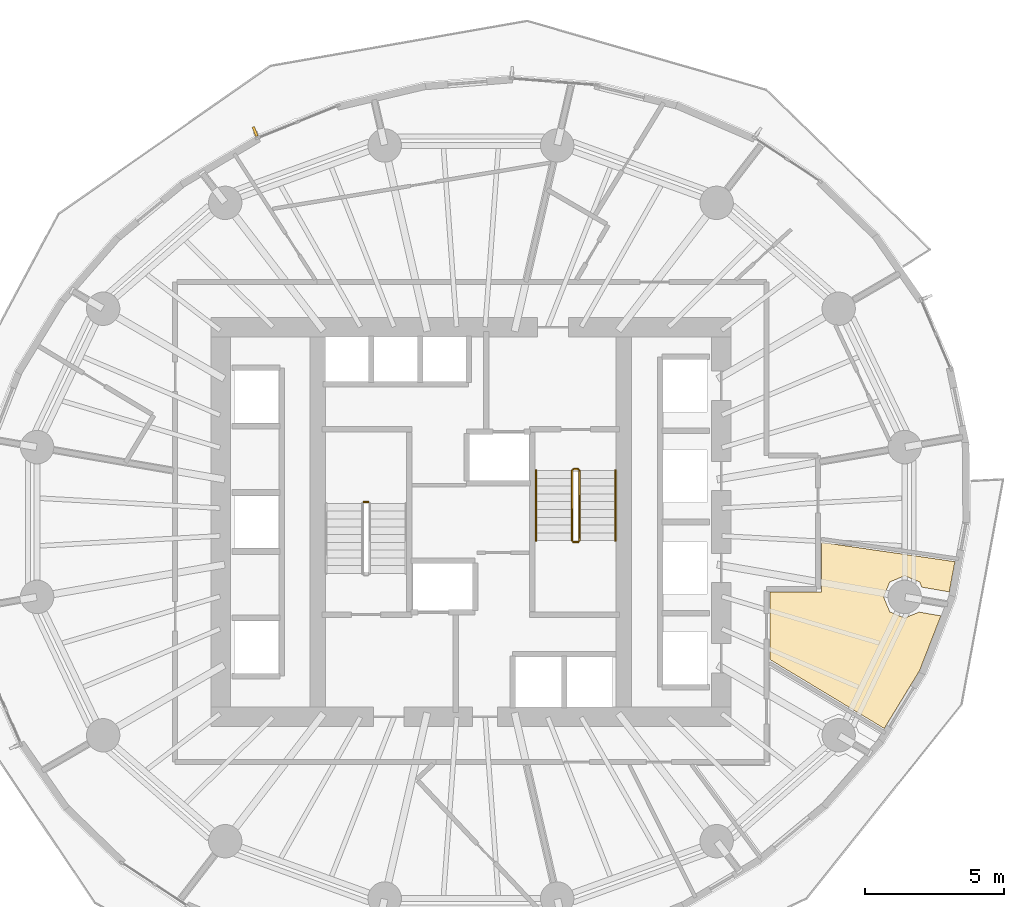
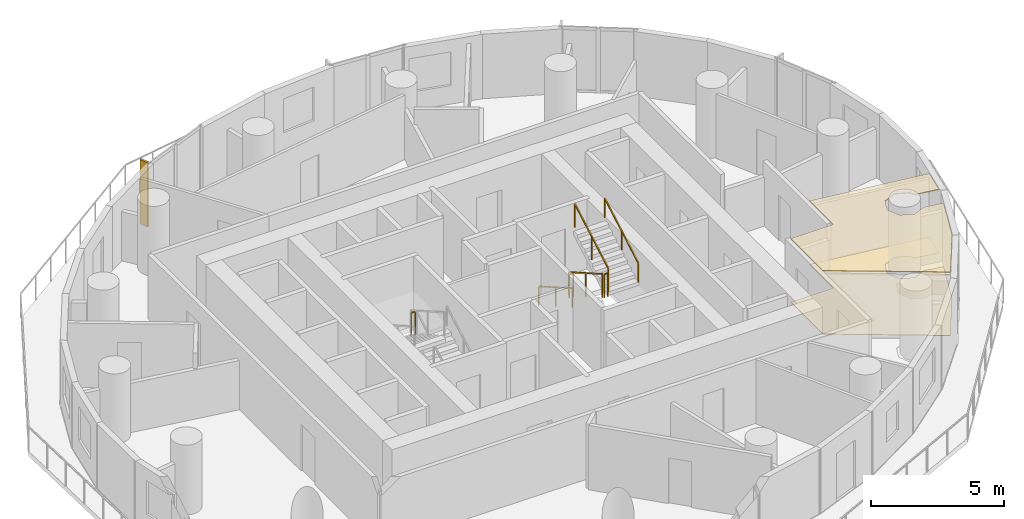
# One storey, part 13 of 14: 7 railings, 2 coverings, 1 shading device.
"""IFC4 building model written with IfcOpenShell, lengths in metres."""

from ifc_helpers import new_model, si_unit, direction, frame, origin, origin_2d, place, context, subcontext, project, spatial, polyline, rectangle, outline, extrude, material, layer, layer_set, type_object, element, save


model = new_model("IFC4")

# Units and contexts
model_context = context("Model", 3, precision=1e-05, world=origin(), true_north=direction((0.0, 1.0)))
body_context = subcontext(model_context, "Body", "Model", "MODEL_VIEW")
ifc_project = project(units=[si_unit("LENGTHUNIT", "METRE"), si_unit("AREAUNIT", "SQUARE_METRE"), si_unit("VOLUMEUNIT", "CUBIC_METRE"), si_unit("PLANEANGLEUNIT", "RADIAN"), si_unit("MASSUNIT", "GRAM", prefix="KILO")], contexts=[model_context])

# Site, building, storey
site_placement = place(None, origin())
site = spatial("IfcSite", under=ifc_project, at=site_placement, CompositionType="ELEMENT")
building_placement = place(site_placement, origin())
building = spatial("IfcBuilding", under=site, at=building_placement, Name="Veldorim Arch Residences", CompositionType="ELEMENT")
storey_placement = place(building_placement, frame((0.0, 0.0, 74.080078125)))
storey = spatial("IfcBuildingStorey", under=building, at=storey_placement, Name="L21", CompositionType="ELEMENT", Elevation=74.080078125)

# Railings
ifc_material_1 = material(Name="Steel S355", Category="steel")
railing_type_1 = type_object("IfcRailingType", Name="Galvanised Steel Stair Safety Guardrail 1100", PredefinedType="GUARDRAIL", material=ifc_material_1)
railing_1_placement = place(storey_placement, frame((28.31005859375, 24.719970703125, 1.599853515625)))
element("IfcRailing", 1, at=railing_1_placement, inside=storey, type_object=railing_type_1, Name="L21 ST-1 stair guard 2", PredefinedType="GUARDRAIL", context=body_context, shape_type="SweptSolid", body=[
    extrude(rectangle(XDim=0.048095703125, YDim=0.048095703125, at=origin_2d()), frame((0.0, 0.0, 1.076171875), z_axis=(-1.0, 0.0, 0.0), x_axis=(0.0, -1.0, 0.0)), (0.0, 0.0, 1.0), 0.16015625),
    extrude(rectangle(XDim=0.0419921875, YDim=0.0419921875, at=origin_2d()), origin(), (0.0, 0.0, 1.0), 1.052001953125),
    extrude(rectangle(XDim=0.0419921875, YDim=0.0419921875, at=origin_2d()), frame((-0.16015625, 0.0, 0.0)), (0.0, 0.0, 1.0), 1.052001953125),
])
railing_2_placement = place(storey_placement, frame((35.639892578125, 25.85009765625, 0.159912109375)))
element("IfcRailing", 2, at=railing_2_placement, inside=storey, type_object=railing_type_1, Name="L21 ST-2 stair guard 1", PredefinedType="GUARDRAIL", context=body_context, shape_type="SweptSolid", body=[
    extrude(rectangle(XDim=0.048095703125, YDim=0.048095703125, at=origin_2d()), frame((0.0, 0.0, 1.076171875), z_axis=(0.0, -0.868253494771, 0.496120820787), x_axis=(1.0, 0.0, 0.0)), (0.0, 0.0, 1.0), 2.90234375),
    extrude(rectangle(XDim=0.0419921875, YDim=0.0419921875, at=origin_2d()), origin(), (0.0, 0.0, 1.0), 1.052001953125),
    extrude(rectangle(XDim=0.0419921875, YDim=0.0419921875, at=origin_2d()), frame((0.0, -1.260009765625, 0.719970703125)), (0.0, 0.0, 1.0), 1.052001953125),
    extrude(rectangle(XDim=0.0419921875, YDim=0.0419921875, at=origin_2d()), frame((0.0, -2.52001953125, 1.43994140625)), (0.0, 0.0, 1.0), 1.052001953125),
])
railing_3_placement = place(storey_placement, frame((35.68994140625, 23.280029296875, 1.599853515625)))
element("IfcRailing", 3, at=railing_3_placement, inside=storey, type_object=railing_type_1, Name="L21 ST-2 stair guard 2", PredefinedType="GUARDRAIL", context=body_context, shape_type="SweptSolid", body=[
    extrude(rectangle(XDim=0.048095703125, YDim=0.048095703125, at=origin_2d()), frame((0.0, 0.0, 1.076171875), z_axis=(1.0, 0.0, 0.0), x_axis=(0.0, 1.0, 0.0)), (0.0, 0.0, 1.0), 0.16015625),
    extrude(rectangle(XDim=0.0419921875, YDim=0.0419921875, at=origin_2d()), origin(), (0.0, 0.0, 1.0), 1.052001953125),
    extrude(rectangle(XDim=0.0419921875, YDim=0.0419921875, at=origin_2d()), frame((0.16015625, 0.0, 0.0)), (0.0, 0.0, 1.0), 1.052001953125),
])
railing_4_placement = place(storey_placement, frame((35.89990234375, 23.330078125, 1.760009765625)))
element("IfcRailing", 4, at=railing_4_placement, inside=storey, type_object=railing_type_1, Name="L21 ST-2 stair guard 3", PredefinedType="GUARDRAIL", context=body_context, shape_type="SweptSolid", body=[
    extrude(rectangle(XDim=0.048095703125, YDim=0.048095703125, at=origin_2d()), frame((0.0, 0.0, 1.076171875), z_axis=(0.0, 0.868253494771, 0.496120820787), x_axis=(-1.0, 0.0, 0.0)), (0.0, 0.0, 1.0), 2.90234375),
    extrude(rectangle(XDim=0.0419921875, YDim=0.0419921875, at=origin_2d()), origin(), (0.0, 0.0, 1.0), 1.052001953125),
    extrude(rectangle(XDim=0.0419921875, YDim=0.0419921875, at=origin_2d()), frame((0.0, 1.260009765625, 0.719970703125)), (0.0, 0.0, 1.0), 1.052001953125),
    extrude(rectangle(XDim=0.0419921875, YDim=0.0419921875, at=origin_2d()), frame((0.0, 2.52001953125, 1.43994140625)), (0.0, 0.0, 1.0), 1.052001953125),
])
railing_5_placement = place(storey_placement, frame((35.68994140625, 25.89990234375, 0.0)))
element("IfcRailing", 5, at=railing_5_placement, inside=storey, type_object=railing_type_1, Name="L21 ST-2 stair guard 4", PredefinedType="GUARDRAIL", context=body_context, shape_type="SweptSolid", body=[
    extrude(rectangle(XDim=0.048095703125, YDim=0.048095703125, at=origin_2d()), frame((0.0, 0.0, 1.076171875), z_axis=(1.0, 0.0, 0.0), x_axis=(0.0, 1.0, 0.0)), (0.0, 0.0, 1.0), 0.16015625),
    extrude(rectangle(XDim=0.0419921875, YDim=0.0419921875, at=origin_2d()), origin(), (0.0, 0.0, 1.0), 1.052001953125),
    extrude(rectangle(XDim=0.0419921875, YDim=0.0419921875, at=origin_2d()), frame((0.16015625, 0.0, 0.0)), (0.0, 0.0, 1.0), 1.052001953125),
])

# Coverings
ifc_material_2 = material(Name="Acoustic Gypsum & Mineral Fibre", Category="gypsum")
ifc_layer_1 = layer(ifc_material_2, 0.034912109375, Name="Perforated Acoustic Mineral-Fibre Ceiling 35")
ifc_layer_set_1 = layer_set([ifc_layer_1], Name="Acoustic Gypsum & Mineral Fibre")
covering_type_1 = type_object("IfcCoveringType", Name="Perforated Acoustic Mineral-Fibre Ceiling 35", PredefinedType="CEILING", material=ifc_layer_set_1)
covering_1_placement = place(storey_placement, frame((0.0, 0.0, 2.905029296875)))
element("IfcCovering", 6, at=covering_1_placement, inside=storey, type_object=covering_type_1, Name="L21 acoustic suspended ceiling 01", PredefinedType="CEILING", context=body_context, shape_type="SweptSolid", body=[
    extrude(outline(polyline([(48.89404296875, 20.626708984375), (48.130126953125, 18.662109375), (46.858154296875, 16.578125), (42.75, 19.056396484375), (42.75, 21.47998046875), (44.60009765625, 21.47998046875), (44.60009765625, 23.26953125), (49.3984375, 22.57568359375), (49.195068359375, 21.48828125), (48.209228515625, 21.658203125), (48.1318359375, 21.84521484375), (47.594482421875, 22.067626953125), (47.05712890625, 21.84521484375), (46.834716796875, 21.307861328125), (47.05712890625, 20.7705078125), (47.594482421875, 20.5478515625), (48.111083984375, 20.761962890625), (48.89404296875, 20.626708984375)])), origin(), (0.0, 0.0, 1.0), 0.034912109375),
])
ifc_material_3 = material(Name="Porcelain Ceramic Tile", Category="ceramic")
ifc_layer_2 = layer(ifc_material_3, 0.02001953125, Name="Slip-Resistant Porcelain & Vinyl Floor Finish 20")
ifc_layer_set_2 = layer_set([ifc_layer_2], Name="Porcelain Ceramic Tile")
covering_type_2 = type_object("IfcCoveringType", Name="Slip-Resistant Porcelain & Vinyl Floor Finish 20", PredefinedType="FLOORING", material=ifc_layer_set_2)
covering_2_placement = place(storey_placement, origin())
element("IfcCovering", 7, at=covering_2_placement, inside=storey, type_object=covering_type_2, Name="L21 porcelain floor finish 01", PredefinedType="FLOORING", context=body_context, shape_type="SweptSolid", body=[
    extrude(outline(polyline([(48.89404296875, 20.626708984375), (48.130126953125, 18.662109375), (46.858154296875, 16.578125), (42.75, 19.056396484375), (42.75, 21.47998046875), (44.60009765625, 21.47998046875), (44.60009765625, 23.26953125), (49.3984375, 22.57568359375), (49.195068359375, 21.48828125), (48.209228515625, 21.658203125), (48.1318359375, 21.84521484375), (47.594482421875, 22.067626953125), (47.05712890625, 21.84521484375), (46.834716796875, 21.307861328125), (47.05712890625, 20.7705078125), (47.594482421875, 20.5478515625), (48.111083984375, 20.761962890625), (48.89404296875, 20.626708984375)])), origin(), (0.0, 0.0, 1.0), 0.02001953125),
])

# Railings
ifc_material_4 = material(Name="Stainless Steel", Category="steel")
railing_type_2 = type_object("IfcRailingType", Name="Tubular Steel Continuous Wall Handrail 900", PredefinedType="HANDRAIL", material=ifc_material_4)
railing_6_placement = place(storey_placement, frame((34.340087890625, 25.85009765625, 0.159912109375)))
element("IfcRailing", 8, at=railing_6_placement, inside=storey, type_object=railing_type_2, Name="L21 ST-2 stair handrail 1", PredefinedType="HANDRAIL", context=body_context, shape_type="SweptSolid", body=[
    extrude(rectangle(XDim=0.048095703125, YDim=0.048095703125, at=origin_2d()), frame((0.0, 0.0, 0.8759765625), z_axis=(0.0, -0.868253494771, 0.496120820787), x_axis=(1.0, 0.0, 0.0)), (0.0, 0.0, 1.0), 2.90234375),
    extrude(rectangle(XDim=0.0419921875, YDim=0.0419921875, at=origin_2d()), origin(), (0.0, 0.0, 1.0), 0.851806640625),
    extrude(rectangle(XDim=0.0419921875, YDim=0.0419921875, at=origin_2d()), frame((0.0, -1.260009765625, 0.719970703125)), (0.0, 0.0, 1.0), 0.851806640625),
    extrude(rectangle(XDim=0.0419921875, YDim=0.0419921875, at=origin_2d()), frame((0.0, -2.52001953125, 1.43994140625)), (0.0, 0.0, 1.0), 0.851806640625),
])
railing_7_placement = place(storey_placement, frame((37.199951171875, 23.330078125, 1.760009765625)))
element("IfcRailing", 9, at=railing_7_placement, inside=storey, type_object=railing_type_2, Name="L21 ST-2 stair handrail 2", PredefinedType="HANDRAIL", context=body_context, shape_type="SweptSolid", body=[
    extrude(rectangle(XDim=0.048095703125, YDim=0.048095703125, at=origin_2d()), frame((0.0, 0.0, 0.8759765625), z_axis=(0.0, 0.868253494771, 0.496120820787), x_axis=(-1.0, 0.0, 0.0)), (0.0, 0.0, 1.0), 2.90234375),
    extrude(rectangle(XDim=0.0419921875, YDim=0.0419921875, at=origin_2d()), origin(), (0.0, 0.0, 1.0), 0.851806640625),
    extrude(rectangle(XDim=0.0419921875, YDim=0.0419921875, at=origin_2d()), frame((0.0, 1.260009765625, 0.719970703125)), (0.0, 0.0, 1.0), 0.851806640625),
    extrude(rectangle(XDim=0.0419921875, YDim=0.0419921875, at=origin_2d()), frame((0.0, 2.52001953125, 1.43994140625)), (0.0, 0.0, 1.0), 0.851806640625),
])

# Shading device
ifc_material_5 = material(Name="Terracotta Ceramic", Category="masonry")
ifc_layer_3 = layer(ifc_material_5, 0.090087890625, Name="Vertical Extruded Terracotta Baguette Sun-Shading Fin")
ifc_layer_set_3 = layer_set([ifc_layer_3], Name="Terracotta Ceramic")
shading_device_type = type_object("IfcShadingDeviceType", Name="Vertical Extruded Terracotta Baguette Sun-Shading Fin", PredefinedType="USERDEFINED", material=ifc_layer_set_3)
shading_device_placement = place(storey_placement, frame((24.240478515625, 38.0380859375, 0.0), z_axis=(0.0, 0.0, 1.0), x_axis=(0.927314560446, 0.374282922379, 0.0)))
element("IfcShadingDevice", 10, at=shading_device_placement, inside=storey, type_object=shading_device_type, Name="L21 vertical terracotta sun-shading fin 10", ObjectType="FIN", PredefinedType="USERDEFINED", context=body_context, shape_type="SweptSolid", body=[
    extrude(rectangle(XDim=0.090087890625, YDim=0.360107421875, at=origin_2d()), origin(), (0.0, 0.0, 1.0), 2.9599609375),
])

save(model, "model.ifc")
